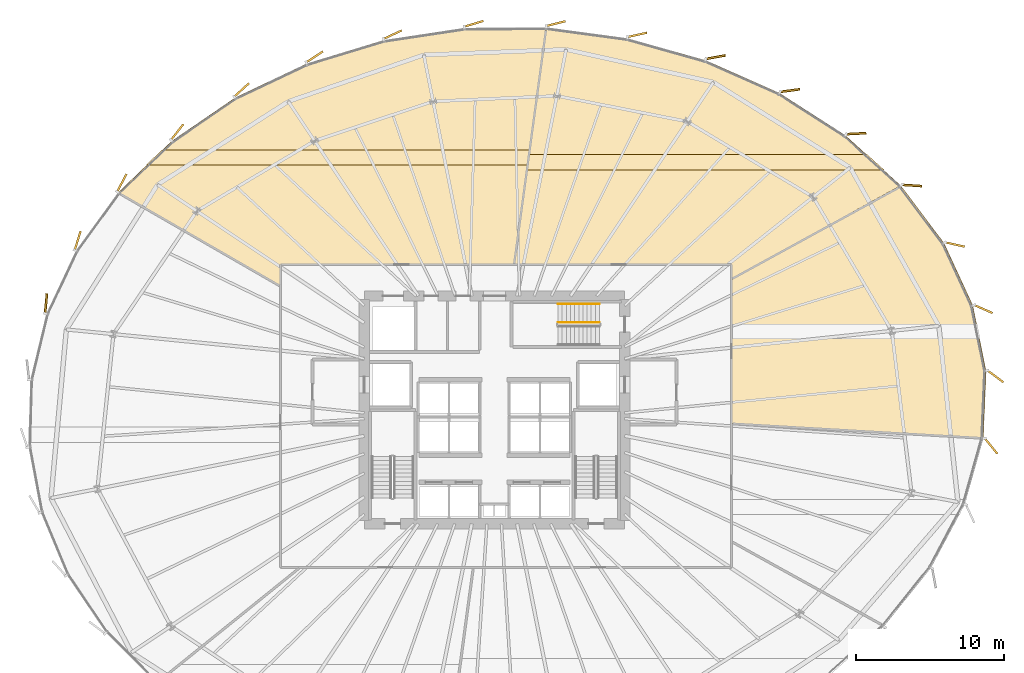
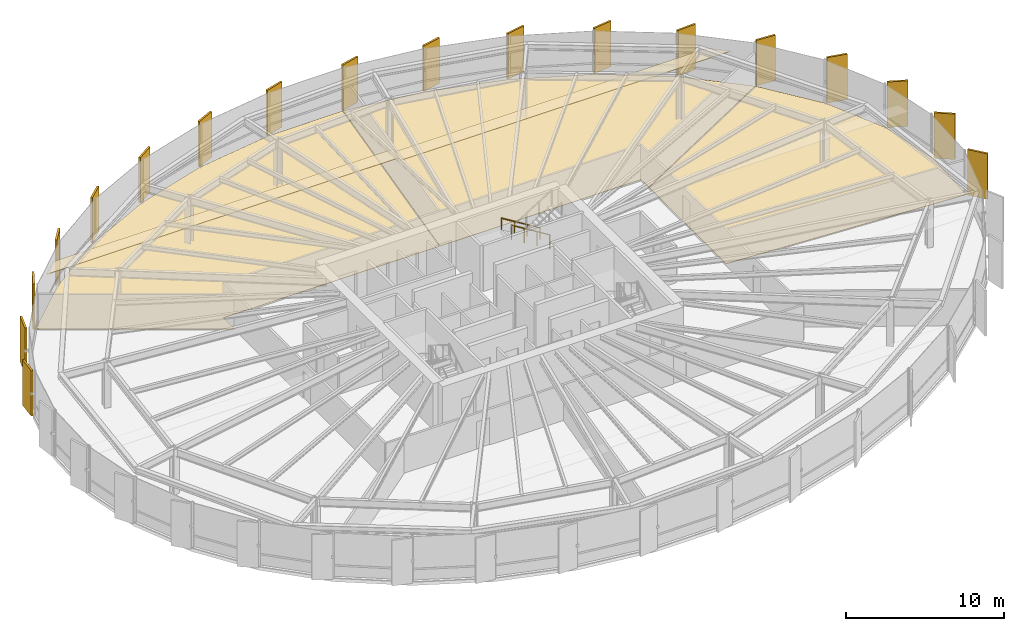
# One storey, part 37 of 37: 23 coverings, 2 railings.
"""IFC4 building model written with IfcOpenShell, lengths in metres."""

from ifc_helpers import new_model, si_unit, direction, frame, origin, origin_2d, place, context, subcontext, project, spatial, polyline, rectangle, circle, outline, extrude, source, transform, mapped, material, layer, layer_set, type_object, element, save


model = new_model("IFC4")

# Units and contexts
model_context = context("Model", 3, precision=1e-05, world=origin(), true_north=direction((0.0, 1.0)))
body_context = subcontext(model_context, "Body", "Model", "MODEL_VIEW")
ifc_project = project(units=[si_unit("LENGTHUNIT", "METRE"), si_unit("AREAUNIT", "SQUARE_METRE"), si_unit("VOLUMEUNIT", "CUBIC_METRE"), si_unit("PLANEANGLEUNIT", "RADIAN"), si_unit("MASSUNIT", "GRAM", prefix="KILO"), si_unit("THERMODYNAMICTEMPERATUREUNIT", "KELVIN")], contexts=[model_context])

# Site, building, storey
site_placement = place(None, origin())
site = spatial("IfcSite", under=ifc_project, at=site_placement, CompositionType="ELEMENT")
building_placement = place(site_placement, origin())
building = spatial("IfcBuilding", under=site, at=building_placement, Name="Kethvar Cultural Tower", CompositionType="ELEMENT")
storey_placement = place(building_placement, frame((0.0, 0.0, 48.60009765625)))
storey = spatial("IfcBuildingStorey", under=building, at=storey_placement, Name="L11", CompositionType="ELEMENT", Elevation=48.60009765625)

# Coverings
ifc_material_1 = material(Name="Acoustic Mineral Fibre Ceiling")
ifc_layer_1 = layer(ifc_material_1, 0.0400390625, Name="Acoustic Mineral Fibre Ceiling")
ifc_layer_set_1 = layer_set([ifc_layer_1], Name="Acoustic Mineral Fibre Ceiling (40 mm)")
covering_type_1 = type_object("IfcCoveringType", Name="CV-ACOUSTIC-CEIL", PredefinedType="CEILING", material=ifc_layer_set_1)
covering_1_placement = place(storey_placement, frame((0.0, 0.0, 2.449951171875)))
element("IfcCovering", 1, at=covering_1_placement, inside=storey, type_object=covering_type_1, Name="L11 Room 05 Acoustic Ceiling Panel", PredefinedType="CEILING", context=body_context, shape_type="SweptSolid", body=[
    extrude(outline(polyline([(73.1298828125, 44.031494140625), (48.970458984375, 44.031494140625), (49.109375, 45.061279296875), (71.9951171875, 45.061279296875), (73.1298828125, 44.031494140625)])), origin(), (0.0, 0.0, 1.0), 0.0400390625),
])
covering_2_placement = place(storey_placement, frame((0.0, 0.0, 2.449951171875)))
element("IfcCovering", 2, at=covering_2_placement, inside=storey, type_object=covering_type_1, Name="L11 Room 06 Acoustic Ceiling Panel", PredefinedType="CEILING", context=body_context, shape_type="SweptSolid", body=[
    extrude(outline(polyline([(24.3173828125, 45.36962890625), (49.19140625, 45.36962890625), (49.052490234375, 44.339599609375), (23.2451171875, 44.339599609375), (24.3173828125, 45.36962890625)])), origin(), (0.0, 0.0, 1.0), 0.0400390625),
])
ifc_material_2 = material(Name="Honed Warm Limestone", Category="masonry")
ifc_layer_2 = layer(ifc_material_2, 0.030029296875, Name="Honed Warm Limestone", Category="masonry")
ifc_layer_set_2 = layer_set([ifc_layer_2], Name="Honed Warm Limestone (30 mm)")
covering_type_2 = type_object("IfcCoveringType", Name="CV-STONE-FLOOR", PredefinedType="FLOORING", material=ifc_layer_set_2)
covering_3_placement = place(storey_placement, origin())
element("IfcCovering", 3, at=covering_3_placement, inside=storey, type_object=covering_type_2, Name="L11 Room 04 Floor Finish", PredefinedType="FLOORING", context=body_context, shape_type="SweptSolid", body=[
    extrude(outline(polyline([(77.18505859375, 39.0703125), (79.132568359375, 34.852294921875), (80.028564453125, 30.4150390625), (79.83837890625, 25.910400390625), (62.85009765625, 26.892333984375), (62.85009765625, 36.627685546875), (74.279296875, 42.930419921875), (77.18505859375, 39.0703125)])), origin(), (0.0, 0.0, 1.0), 0.02978515625),
])
covering_4_placement = place(storey_placement, origin())
element("IfcCovering", 4, at=covering_4_placement, inside=storey, type_object=covering_type_2, Name="L11 Room 05 Floor Finish", PredefinedType="FLOORING", context=body_context, shape_type="SweptSolid", body=[
    extrude(outline(polyline([(55.7802734375, 52.906494140625), (61.093505859375, 51.411376953125), (66.061767578125, 49.20556640625), (70.510986328125, 46.354736328125), (74.25048828125, 42.960205078125), (62.85009765625, 36.673583984375), (62.83203125, 37.639892578125), (48.148193359375, 37.639892578125), (50.30810546875, 53.643798828125), (55.7802734375, 52.906494140625)])), origin(), (0.0, 0.0, 1.0), 0.02978515625),
])
covering_5_placement = place(storey_placement, origin())
element("IfcCovering", 5, at=covering_5_placement, inside=storey, type_object=covering_type_2, Name="L11 Room 06 Floor Finish", PredefinedType="FLOORING", context=body_context, shape_type="SweptSolid", body=[
    extrude(outline(polyline([(21.392822265625, 42.505615234375), (25.005126953125, 45.974609375), (29.297607421875, 48.9091796875), (34.122314453125, 51.2021484375), (39.33203125, 52.78369140625), (44.76904296875, 53.606201171875), (50.26806640625, 53.64599609375), (48.10791015625, 37.639892578125), (32.327880859375, 37.639892578125), (32.31005859375, 36.19677734375), (21.392822265625, 42.505615234375)])), origin(), (0.0, 0.0, 1.0), 0.02978515625),
])

# Railings
ifc_material_3 = material(Name="Steel S355J2", Category="steel")
railing_type_1 = type_object("IfcRailingType", Name="RL-STAIR-GUARD", PredefinedType="BALUSTRADE", material=ifc_material_3)
railing_1_placement = place(storey_placement, frame((53.89990234375, 33.7099609375, 0.172607421875)))
element("IfcRailing", 6, at=railing_1_placement, inside=storey, type_object=railing_type_1, Name="L11 ST-03 stair guard 1", PredefinedType="BALUSTRADE", context=body_context, shape_type="SweptSolid", body=[
    extrude(circle(Radius=0.02392578125, at=origin_2d()), frame((0.0, 0.0, 1.09619140625), z_axis=(-0.851069175582, 0.0, 0.525053576669), x_axis=(0.0, -1.0, 0.0)), (0.0, 0.0, 1.0), 3.289794921875),
    extrude(circle(Radius=0.02099609375, at=origin_2d()), origin(), (0.0, 0.0, 1.0), 1.072021484375),
    extrude(circle(Radius=0.02099609375, at=origin_2d()), frame((-0.933349609375, 0.0, 0.57568359375)), (0.0, 0.0, 1.0), 1.072021484375),
    extrude(circle(Radius=0.02099609375, at=origin_2d()), frame((-1.866455078125, 0.0, 1.151611328125)), (0.0, 0.0, 1.0), 1.072021484375),
    extrude(circle(Radius=0.02099609375, at=origin_2d()), frame((-2.7998046875, 0.0, 1.727294921875)), (0.0, 0.0, 1.0), 1.072021484375),
])
railing_type_2 = type_object("IfcRailingType", Name="RL-STAIR-HANDRAIL", PredefinedType="HANDRAIL", material=ifc_material_3)
railing_2_placement = place(storey_placement, frame((53.89990234375, 34.9599609375, 0.172607421875)))
element("IfcRailing", 7, at=railing_2_placement, inside=storey, type_object=railing_type_2, Name="L11 ST-03 stair handrail 1", PredefinedType="HANDRAIL", context=body_context, shape_type="SweptSolid", body=[
    extrude(circle(Radius=0.02392578125, at=origin_2d()), frame((0.0, 0.0, 0.8759765625), z_axis=(-0.851069175582, 0.0, 0.525053576669), x_axis=(0.0, -1.0, 0.0)), (0.0, 0.0, 1.0), 3.289794921875),
    extrude(circle(Radius=0.02099609375, at=origin_2d()), origin(), (0.0, 0.0, 1.0), 0.851806640625),
    extrude(circle(Radius=0.02099609375, at=origin_2d()), frame((-0.933349609375, 0.0, 0.57568359375)), (0.0, 0.0, 1.0), 0.851806640625),
    extrude(circle(Radius=0.02099609375, at=origin_2d()), frame((-1.866455078125, 0.0, 1.151611328125)), (0.0, 0.0, 1.0), 0.851806640625),
    extrude(circle(Radius=0.02099609375, at=origin_2d()), frame((-2.7998046875, 0.0, 1.727294921875)), (0.0, 0.0, 1.0), 0.851806640625),
])

# Coverings
ifc_material_4 = material(Name="Extruded Architectural Terracotta", Category="masonry")
ifc_layer_3 = layer(ifc_material_4, 0.135009765625, Name="Extruded Architectural Terracotta", Category="masonry")
ifc_layer_set_3 = layer_set([ifc_layer_3], Name="Extruded Architectural Terracotta (135 mm)")
covering_type_3 = type_object("IfcCoveringType", Name="Terracotta Facade Fin FIN-01", PredefinedType="CLADDING", material=ifc_layer_set_3)
shared_shape = source(origin(), body_context, "Body", "SweptSolid", [
    extrude(rectangle(XDim=1.35009765625, YDim=0.135009765625, at=origin_2d()), origin(), (0.0, 0.0, 1.0), 3.510009765625),
])
for number, where, z_axis, x_axis, name in (
    (8, (80.660400390625, 30.0712890625, 0.02001953125), (0.0, 0.0, 1.0), (0.802609304542, -0.596505074801, 0.0), "L11 Vertical Terracotta Fin 1.1"),
    (9, (79.8427734375, 34.62158203125, 0.02001953125), (0.0, 0.0, 1.0), (0.916222925562, -0.400668879095, 0.0), "L11 Vertical Terracotta Fin 1.2"),
    (10, (77.92529296875, 38.98193359375, 0.02001953125), (0.0, 0.0, 1.0), (0.976144665859, -0.21712114433, 0.0), "L11 Vertical Terracotta Fin 1.3"),
    (11, (75.011962890625, 42.9716796875, 0.02001953125), (0.0, 0.0, 1.0), (0.997904340061, -0.064706476401, 0.0), "L11 Vertical Terracotta Fin 1.4"),
    (12, (71.240478515625, 46.472412109375, 0.02001953125), (0.0, 0.0, 1.0), (0.998710511839, 0.050767248716, 0.0), "L11 Vertical Terracotta Fin 1.5"),
    (13, (66.77294921875, 49.38525390625, 0.02001953125), (0.0, 0.0, 1.0), (0.99130763107, 0.131564359092, 0.0), "L11 Vertical Terracotta Fin 1.6"),
    (14, (61.744873046875, 51.64208984375, 0.02001953125), (0.0, 0.0, 1.0), (0.983127443564, 0.182921922448, 0.0), "L11 Vertical Terracotta Fin 2.1"),
    (15, (56.4541015625, 53.15185546875, 0.02001953125), (0.0, 0.0, 1.0), (0.976220395964, 0.216780392341, 0.0), "L11 Vertical Terracotta Fin 2.2"),
    (16, (50.945068359375, 53.91064453125, 0.02001953125), (0.0, 0.0, 1.0), (0.969829481672, 0.243784282675, 0.0), "L11 Vertical Terracotta Fin 2.3"),
    (17, (45.402099609375, 53.898193359375, 0.02001953125), (0.0, 0.0, 1.0), (0.958272697843, 0.285855621895, 0.0), "L11 Vertical Terracotta Fin 2.4"),
    (18, (39.916748046875, 53.1640625, 0.02001953125), (0.0, 0.0, 1.0), (0.907117485088, 0.42087749791, 0.0), "L11 Vertical Terracotta Fin 2.5"),
    (19, (34.64404296875, 51.664794921875, 0.02001953125), (0.0, 0.0, 1.0), (0.834655658378, 0.550772123421, 0.0), "L11 Vertical Terracotta Fin 2.6"),
    (20, (29.706298828125, 49.423583984375, 0.02001953125), (0.0, 0.0, 1.0), (0.738925912503, 0.673786684219, 0.0), "L11 Vertical Terracotta Fin 3.1"),
    (21, (25.35400390625, 46.578857421875, 0.02001953125), (0.0, 0.0, 1.0), (0.61785961309, 0.786288432137, 0.0), "L11 Vertical Terracotta Fin 3.2"),
    (22, (21.612060546875, 43.14453125, 0.02001953125), (0.0, 0.0, 1.0), (0.469471562786, 0.882947592859, 0.0), "L11 Vertical Terracotta Fin 3.3"),
    (23, (18.626708984375, 39.244873046875, 0.02001953125), (0.0, 0.0, 1.0), (0.294540736955, 0.955638924633, 0.0), "L11 Vertical Terracotta Fin 3.4"),
    (24, (16.48876953125, 34.993896484375, 0.02001953125), (0.0, 0.0, 1.0), (0.097582899759, 0.995227399982, 0.0), "L11 Vertical Terracotta Fin 3.5"),
    (25, (80.364013671875, 25.362548828125, 0.02001953125), (0.0, 0.0, 1.0), (0.631758757508, -0.775165061333, 0.0), "L11 Vertical Terracotta Fin 6.6"),
):
    element("IfcCovering", number, at=place(storey_placement, frame(where, z_axis=z_axis, x_axis=x_axis)), inside=storey, type_object=covering_type_3, Name=name, PredefinedType="CLADDING", context=body_context, shape_type="MappedRepresentation", body=[
        mapped(shared_shape, transform((0.0, 0.0, 0.0), scale=1.0)),
    ])

save(model, "model.ifc")
